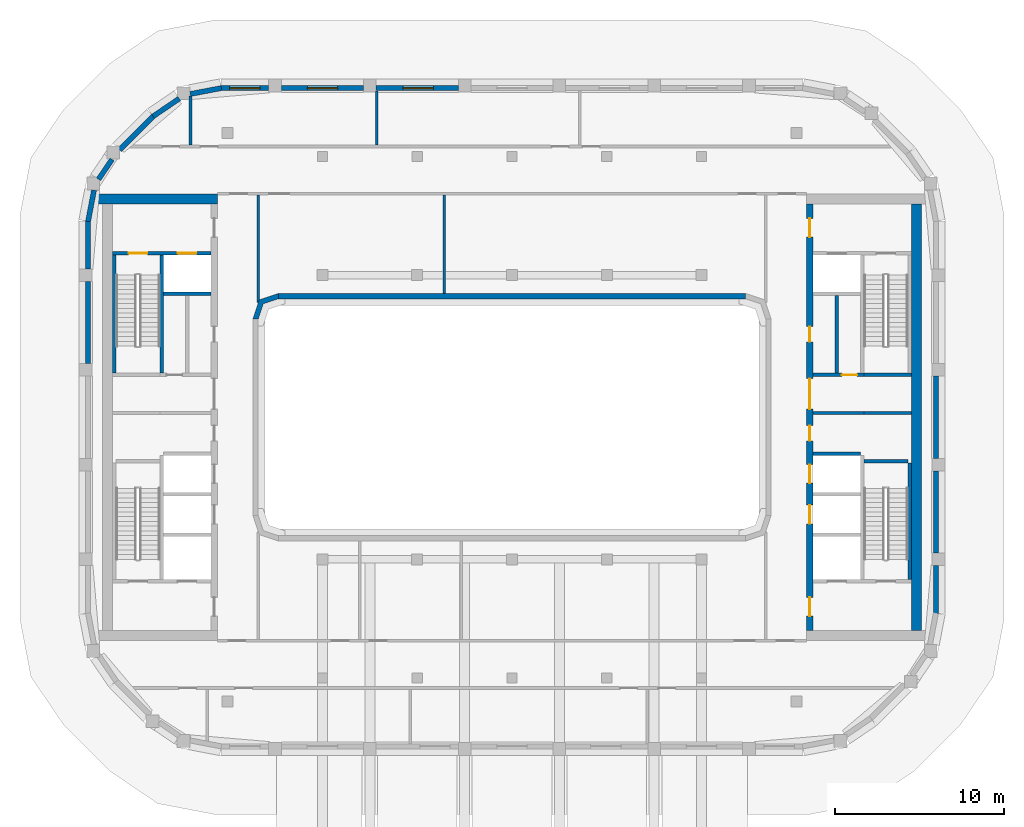
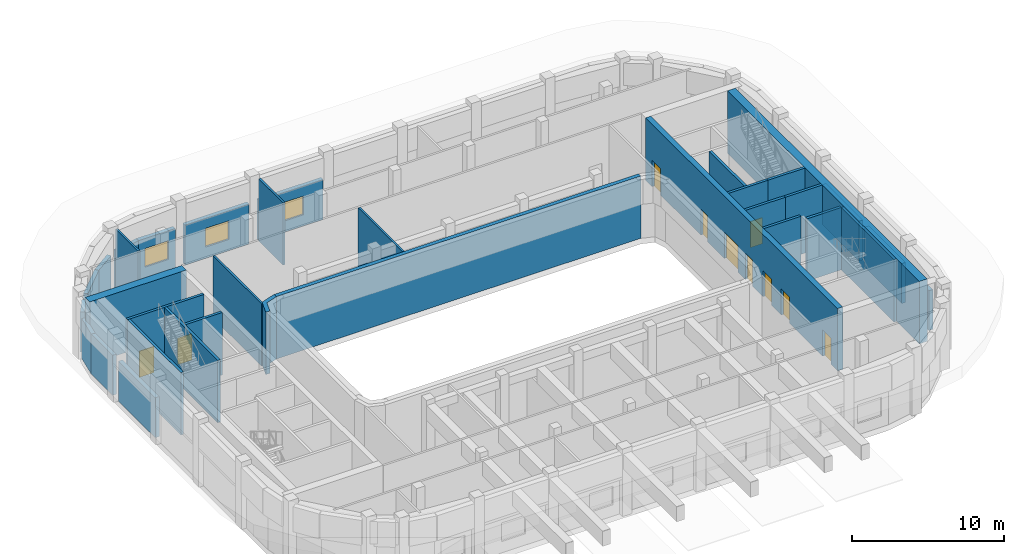
# One storey, part 8 of 17: 34 walls, 10 doors, 3 windows, 13 openings.
"""IFC4 building model written with IfcOpenShell, lengths in metres."""

from ifc_helpers import new_model, si_unit, direction, frame, frame_2d, origin, place, context, subcontext, project, spatial, polyline, rectangle, outline, extrude, material, layer, layer_set, type_object, element, fill, save


model = new_model("IFC4")

# Units and contexts
model_context = context("Model", 3, precision=1e-05, world=origin(), true_north=direction((0.0, 1.0)))
body_context = subcontext(model_context, "Body", "Model", "MODEL_VIEW")
ifc_project = project(units=[si_unit("LENGTHUNIT", "METRE"), si_unit("AREAUNIT", "SQUARE_METRE"), si_unit("VOLUMEUNIT", "CUBIC_METRE"), si_unit("PLANEANGLEUNIT", "RADIAN"), si_unit("MASSUNIT", "GRAM", prefix="KILO")], contexts=[model_context])

# Site, building, storey
site_placement = place(None, origin())
site = spatial("IfcSite", under=ifc_project, at=site_placement, CompositionType="ELEMENT")
building_placement = place(site_placement, origin())
building = spatial("IfcBuilding", under=site, at=building_placement, Name="Kiln Ring Residences", CompositionType="ELEMENT")
storey_placement = place(building_placement, frame((0.0, 0.0, 289.10009765625)))
storey = spatial("IfcBuildingStorey", under=building, at=storey_placement, Name="L75", CompositionType="ELEMENT", Elevation=289.10009765625)

# Walls
ifc_material_1 = material(Name="Gypsum board on steel studs", Category="steel")
ifc_layer_1 = layer(ifc_material_1, 0.199951171875)
ifc_layer_set_1 = layer_set([ifc_layer_1], Name="CORE-PARTITION-200")
wall_type_1 = type_object("IfcWallType", Name="CORE-PARTITION-200", PredefinedType="PARTITIONING", material=ifc_layer_set_1)
wall_1_placement = place(storey_placement, frame((20.800048828125, 0.25, 0.0), z_axis=(0.0, 0.0, 1.0), x_axis=(1.0, 0.0, 0.0)))
element("IfcWall", 1, at=wall_1_placement, inside=storey, type_object=wall_type_1, Name="Core partition east L75 1", PredefinedType="PARTITIONING", context=body_context, shape_type="SweptSolid", body=[
    extrude(rectangle(XDim=2.800048828125, YDim=0.199951171875, at=frame_2d((1.39990234375, 0.0))), origin(), (0.0, 0.0, 1.0), 5.0),
])
wall_2_placement = place(storey_placement, frame((19.199951171875, 2.60009765625, 0.0), z_axis=(0.0, 0.0, 1.0), x_axis=(0.0, 1.0, 0.0)))
element("IfcWall", 2, at=wall_2_placement, inside=storey, type_object=wall_type_1, Name="Core partition east L75 2", PredefinedType="PARTITIONING", context=body_context, shape_type="SweptSolid", body=[
    extrude(rectangle(XDim=4.599853515625, YDim=0.199951171875, at=frame_2d((2.2998046875, 0.0))), origin(), (0.0, 0.0, 1.0), 5.0),
])
ifc_material_2 = material(Name="Gypsum shaft wall system")
ifc_layer_2 = layer(ifc_material_2, 0.199951171875)
ifc_layer_set_2 = layer_set([ifc_layer_2], Name="CORE-SHAFT-WALL-200")
wall_type_2 = type_object("IfcWallType", Name="CORE-SHAFT-WALL-200", PredefinedType="PARTITIONING", material=ifc_layer_set_2)
for number, where, z_axis, x_axis, name in (
    (3, (-17.800048828125, 7.300048828125, 0.0), (0.0, 0.0, 1.0), (-1.0, 0.0, 0.0), "Core partition west L75 8"),
    (4, (17.800048828125, -2.14990234375, 0.0), (0.0, 0.0, 1.0), (1.0, 0.0, 0.0), "Core partition east L75 5"),
):
    element("IfcWall", number, at=place(storey_placement, frame(where, z_axis=z_axis, x_axis=x_axis)), inside=storey, type_object=wall_type_2, Name=name, PredefinedType="PARTITIONING", context=body_context, shape_type="SweptSolid", body=[
        extrude(rectangle(XDim=2.800048828125, YDim=0.199951171875, at=frame_2d((1.39990234375, 0.0))), origin(), (0.0, 0.0, 1.0), 5.0),
    ])
wall_3_placement = place(storey_placement, frame((17.800048828125, 0.25, 0.0), z_axis=(0.0, 0.0, 1.0), x_axis=(1.0, 0.0, 0.0)))
element("IfcWall", 5, at=wall_3_placement, inside=storey, type_object=wall_type_2, Name="Core partition east L75 6", PredefinedType="PARTITIONING", context=body_context, shape_type="SweptSolid", body=[
    extrude(rectangle(XDim=3.0, YDim=0.199951171875, at=frame_2d((1.5, 0.0))), origin(), (0.0, 0.0, 1.0), 5.0),
])

# Wall, opening, door
wall_4_placement = place(storey_placement, frame((17.800048828125, 2.5, 0.0), z_axis=(0.0, 0.0, 1.0), x_axis=(1.0, 0.0, 0.0)))
wall_4 = element("IfcWall", 6, at=wall_4_placement, inside=storey, type_object=wall_type_2, Name="Core partition east L75 7", PredefinedType="PARTITIONING", context=body_context, shape_type="SweptSolid", body=[
    extrude(rectangle(XDim=3.0, YDim=0.199951171875, at=frame_2d((1.5, 0.0))), origin(), (0.0, 0.0, 1.0), 5.0),
])
opening_1_placement = place(wall_4_placement, frame((1.699951171875, 0.0, 0.0)))
opening_1 = element("IfcOpeningElement", 7, at=opening_1_placement, cuts=wall_4, Name="Opening L75-CE06", PredefinedType="OPENING", context=body_context, shape_type="SweptSolid", body=[
    extrude(rectangle(XDim=0.89990234375, YDim=2.10009765625, at=frame_2d((0.449951171875, 1.050048828125))), frame((0.0, 0.10986328125, 0.0), z_axis=(0.0, -1.0, 0.0), x_axis=(1.0, 0.0, 0.0)), (0.0, 0.0, 1.0), 0.219970703125),
])
ifc_material_3 = material(Name="Steel door leaf", Category="steel")
door_type_1 = type_object("IfcDoorType", Name="CORE-DOOR-ROOM", OperationType="SINGLE_SWING_LEFT", PredefinedType="DOOR", material=ifc_material_3)
door_1_placement = place(opening_1_placement, origin())
door_1 = element("IfcDoor", 8, at=door_1_placement, inside=storey, type_object=door_type_1, Name="Cleaner's store L75-CE06", OperationType="SINGLE_SWING_RIGHT", OverallHeight=2.10009765625, OverallWidth=0.89990234375, PredefinedType="DOOR", context=body_context, shape_type="SweptSolid", body=[
    extrude(rectangle(XDim=0.89990234375, YDim=2.10009765625, at=frame_2d((0.449951171875, 1.050048828125))), frame((0.0, 0.02490234375, 0.0), z_axis=(0.0, -1.0, 0.0), x_axis=(1.0, 0.0, 0.0)), (0.0, 0.0, 1.0), 0.050048828125),
])
fill(opening_1, door_1)

# Wall
ifc_material_4 = material(Name="Concrete C40/50", Category="concrete")
ifc_layer_3 = layer(ifc_material_4, 0.199951171875)
ifc_layer_set_3 = layer_set([ifc_layer_3], Name="CORE-WALL-RC200")
wall_type_3 = type_object("IfcWallType", Name="CORE-WALL-RC200", PredefinedType="SHEAR", material=ifc_layer_set_3)
wall_5_placement = place(storey_placement, frame((-20.699951171875, 2.60009765625, 0.0), z_axis=(0.0, 0.0, 1.0), x_axis=(0.0, 1.0, 0.0)))
element("IfcWall", 9, at=wall_5_placement, inside=storey, type_object=wall_type_3, Name="Core wall west L75 1", PredefinedType="SHEAR", context=body_context, shape_type="SweptSolid", body=[
    extrude(rectangle(XDim=7.0, YDim=0.199951171875, at=frame_2d((3.5, 0.0))), origin(), (0.0, 0.0, 1.0), 5.0),
])

# Wall, openings, doors
wall_6_placement = place(storey_placement, frame((-17.800048828125, 9.699951171875, 0.0), z_axis=(0.0, 0.0, 1.0), x_axis=(-1.0, 0.0, 0.0)))
wall_6 = element("IfcWall", 10, at=wall_6_placement, inside=storey, type_object=wall_type_3, Name="Core wall west L75 9", PredefinedType="SHEAR", context=body_context, shape_type="SweptSolid", body=[
    extrude(rectangle(XDim=5.800048828125, YDim=0.199951171875, at=frame_2d((2.89990234375, 0.0))), origin(), (0.0, 0.0, 1.0), 5.0),
])
opening_2_placement = place(wall_6_placement, frame((0.85009765625, 0.0, 0.0)))
opening_2 = element("IfcOpeningElement", 11, at=opening_2_placement, cuts=wall_6, Name="Opening L75-CW07", PredefinedType="OPENING", context=body_context, shape_type="SweptSolid", body=[
    extrude(rectangle(XDim=1.10009765625, YDim=2.10009765625, at=frame_2d((0.550048828125, 1.050048828125))), frame((0.0, 0.10986328125, 0.0), z_axis=(0.0, -1.0, 0.0), x_axis=(1.0, 0.0, 0.0)), (0.0, 0.0, 1.0), 0.219970703125),
])
opening_3_placement = place(wall_6_placement, frame((3.75, 0.0, 0.0)))
opening_3 = element("IfcOpeningElement", 12, at=opening_3_placement, cuts=wall_6, Name="Opening L75-CW10", PredefinedType="OPENING", context=body_context, shape_type="SweptSolid", body=[
    extrude(rectangle(XDim=1.10009765625, YDim=2.10009765625, at=frame_2d((0.550048828125, 1.050048828125))), frame((0.0, 0.10986328125, 0.0), z_axis=(0.0, -1.0, 0.0), x_axis=(1.0, 0.0, 0.0)), (0.0, 0.0, 1.0), 0.219970703125),
])
ifc_material_5 = material(Name="Steel door leaf", Category="steel")
door_type_2 = type_object("IfcDoorType", Name="CORE-DOOR-LD", OperationType="DOUBLE_DOOR_SLIDING", PredefinedType="DOOR", material=ifc_material_5)
door_2_placement = place(opening_2_placement, origin())
door_2 = element("IfcDoor", 13, at=door_2_placement, inside=storey, type_object=door_type_2, Name="LD W-FF L75-CW07", OperationType="DOUBLE_DOOR_SLIDING", OverallHeight=2.10009765625, OverallWidth=1.10009765625, PredefinedType="DOOR", context=body_context, shape_type="SweptSolid", body=[
    extrude(rectangle(XDim=1.10009765625, YDim=2.10009765625, at=frame_2d((0.550048828125, 1.050048828125))), frame((0.0, 0.02490234375, 0.0), z_axis=(0.0, -1.0, 0.0), x_axis=(1.0, 0.0, 0.0)), (0.0, 0.0, 1.0), 0.050048828125),
])
fill(opening_2, door_2)
ifc_material_6 = material(Name="Steel door leaf", Category="steel")
door_type_3 = type_object("IfcDoorType", Name="CORE-DOOR-STAIR", OperationType="SINGLE_SWING_LEFT", PredefinedType="DOOR", material=ifc_material_6)
door_3_placement = place(opening_3_placement, origin())
door_3 = element("IfcDoor", 14, at=door_3_placement, inside=storey, type_object=door_type_3, Name="Stair W-STN L75-CW10", OperationType="SINGLE_SWING_RIGHT", OverallHeight=2.10009765625, OverallWidth=1.10009765625, PredefinedType="DOOR", context=body_context, shape_type="SweptSolid", body=[
    extrude(rectangle(XDim=1.10009765625, YDim=2.10009765625, at=frame_2d((0.550048828125, 1.050048828125))), frame((0.0, 0.02490234375, 0.0), z_axis=(0.0, -1.0, 0.0), x_axis=(1.0, 0.0, 0.0)), (0.0, 0.0, 1.0), 0.050048828125),
])
fill(opening_3, door_3)

# Walls
wall_7_placement = place(storey_placement, frame((-23.5, 2.60009765625, 0.0), z_axis=(0.0, 0.0, 1.0), x_axis=(0.0, 1.0, 0.0)))
element("IfcWall", 15, at=wall_7_placement, inside=storey, type_object=wall_type_3, Name="Core wall west L75 10", PredefinedType="SHEAR", context=body_context, shape_type="SweptSolid", body=[
    extrude(rectangle(XDim=7.0, YDim=0.199951171875, at=frame_2d((3.5, 0.0))), origin(), (0.0, 0.0, 1.0), 5.0),
])
wall_8_placement = place(storey_placement, frame((20.800048828125, 2.5, 0.0), z_axis=(0.0, 0.0, 1.0), x_axis=(1.0, 0.0, 0.0)))
element("IfcWall", 16, at=wall_8_placement, inside=storey, type_object=wall_type_3, Name="Core wall east L75 3", PredefinedType="SHEAR", context=body_context, shape_type="SweptSolid", body=[
    extrude(rectangle(XDim=2.800048828125, YDim=0.199951171875, at=frame_2d((1.39990234375, 0.0))), origin(), (0.0, 0.0, 1.0), 5.0),
])
wall_9_placement = place(storey_placement, frame((23.5, -9.60009765625, 0.0), z_axis=(0.0, 0.0, 1.0), x_axis=(0.0, 1.0, 0.0)))
element("IfcWall", 17, at=wall_9_placement, inside=storey, type_object=wall_type_3, Name="Core wall east L75 11", PredefinedType="SHEAR", context=body_context, shape_type="SweptSolid", body=[
    extrude(rectangle(XDim=6.900146484375, YDim=0.199951171875, at=frame_2d((3.4501953125, 0.0))), origin(), (0.0, 0.0, 1.0), 5.0),
])
wall_10_placement = place(storey_placement, frame((20.800048828125, -2.60009765625, 0.0), z_axis=(0.0, 0.0, 1.0), x_axis=(1.0, 0.0, 0.0)))
element("IfcWall", 18, at=wall_10_placement, inside=storey, type_object=wall_type_3, Name="Core wall east L75 12", PredefinedType="SHEAR", context=body_context, shape_type="SweptSolid", body=[
    extrude(rectangle(XDim=2.599853515625, YDim=0.199951171875, at=frame_2d((1.2998046875, 0.0))), origin(), (0.0, 0.0, 1.0), 5.0),
])

# Wall, openings, doors
ifc_material_7 = material(Name="Concrete C60/75", Category="concrete")
ifc_layer_4 = layer(ifc_material_7, 0.39990234375)
ifc_layer_set_4 = layer_set([ifc_layer_4], Name="CORE-WALL-RC400")
wall_type_4 = type_object("IfcWallType", Name="CORE-WALL-RC400", PredefinedType="SHEAR", material=ifc_layer_set_4)
wall_11_placement = place(storey_placement, frame((17.60009765625, -12.60009765625, 0.0), z_axis=(0.0, 0.0, 1.0), x_axis=(0.0, 1.0, 0.0)))
wall_11 = element("IfcWall", 19, at=wall_11_placement, inside=storey, type_object=wall_type_4, Name="Core wall east L75 6", PredefinedType="SHEAR", context=body_context, shape_type="SweptSolid", body=[
    extrude(rectangle(XDim=25.2001953125, YDim=0.39990234375, at=frame_2d((12.60009765625, 0.0))), origin(), (0.0, 0.0, 1.0), 5.0),
])
opening_4_placement = place(wall_11_placement, frame((6.300048828125, 0.0, 0.0)))
opening_4 = element("IfcOpeningElement", 20, at=opening_4_placement, cuts=wall_11, Name="Opening L75-CE02", PredefinedType="OPENING", context=body_context, shape_type="SweptSolid", body=[
    extrude(rectangle(XDim=1.10009765625, YDim=2.10009765625, at=frame_2d((0.550048828125, 1.050048828125))), frame((0.0, 0.2099609375, 0.0), z_axis=(0.0, -1.0, 0.0), x_axis=(1.0, 0.0, 0.0)), (0.0, 0.0, 1.0), 0.419921875),
])
opening_5_placement = place(wall_11_placement, frame((8.699951171875, 0.0, 0.0)))
opening_5 = element("IfcOpeningElement", 21, at=opening_5_placement, cuts=wall_11, Name="Opening L75-CE03", PredefinedType="OPENING", context=body_context, shape_type="SweptSolid", body=[
    extrude(rectangle(XDim=1.10009765625, YDim=2.10009765625, at=frame_2d((0.550048828125, 1.050048828125))), frame((0.0, 0.2099609375, 0.0), z_axis=(0.0, -1.0, 0.0), x_axis=(1.0, 0.0, 0.0)), (0.0, 0.0, 1.0), 0.419921875),
])
opening_6_placement = place(wall_11_placement, frame((11.199951171875, 0.0, 0.0)))
opening_6 = element("IfcOpeningElement", 22, at=opening_6_placement, cuts=wall_11, Name="Opening L75-CE04", PredefinedType="OPENING", context=body_context, shape_type="SweptSolid", body=[
    extrude(rectangle(XDim=0.89990234375, YDim=2.10009765625, at=frame_2d((0.449951171875, 1.050048828125))), frame((0.0, 0.2099609375, 0.0), z_axis=(0.0, -1.0, 0.0), x_axis=(1.0, 0.0, 0.0)), (0.0, 0.0, 1.0), 0.419921875),
])
opening_7_placement = place(wall_11_placement, frame((17.050048828125, 0.0, 0.0)))
opening_7 = element("IfcOpeningElement", 23, at=opening_7_placement, cuts=wall_11, Name="Opening L75-CE05", PredefinedType="OPENING", context=body_context, shape_type="SweptSolid", body=[
    extrude(rectangle(XDim=0.89990234375, YDim=2.10009765625, at=frame_2d((0.449951171875, 1.050048828125))), frame((0.0, 0.2099609375, 0.0), z_axis=(0.0, -1.0, 0.0), x_axis=(1.0, 0.0, 0.0)), (0.0, 0.0, 1.0), 0.419921875),
])
opening_8_placement = place(wall_11_placement, frame((23.25, 0.0, 0.0)))
opening_8 = element("IfcOpeningElement", 24, at=opening_8_placement, cuts=wall_11, Name="Opening L75-CE08", PredefinedType="OPENING", context=body_context, shape_type="SweptSolid", body=[
    extrude(rectangle(XDim=1.10009765625, YDim=2.10009765625, at=frame_2d((0.550048828125, 1.050048828125))), frame((0.0, 0.2099609375, 0.0), z_axis=(0.0, -1.0, 0.0), x_axis=(1.0, 0.0, 0.0)), (0.0, 0.0, 1.0), 0.419921875),
])
opening_9_placement = place(wall_11_placement, frame((0.85009765625, 0.0, 0.0)))
opening_9 = element("IfcOpeningElement", 25, at=opening_9_placement, cuts=wall_11, Name="Opening L75-CE09", PredefinedType="OPENING", context=body_context, shape_type="SweptSolid", body=[
    extrude(rectangle(XDim=1.10009765625, YDim=2.10009765625, at=frame_2d((0.550048828125, 1.050048828125))), frame((0.0, 0.2099609375, 0.0), z_axis=(0.0, -1.0, 0.0), x_axis=(1.0, 0.0, 0.0)), (0.0, 0.0, 1.0), 0.419921875),
])
opening_10_placement = place(wall_11_placement, frame((13.074951171875, 0.0, 0.0)))
opening_10 = element("IfcOpeningElement", 26, at=opening_10_placement, cuts=wall_11, Name="Opening L75-CE12", PredefinedType="OPENING", context=body_context, shape_type="SweptSolid", body=[
    extrude(rectangle(XDim=1.800048828125, YDim=2.10009765625, at=frame_2d((0.89990234375, 1.050048828125))), frame((0.0, 0.2099609375, 0.0), z_axis=(0.0, -1.0, 0.0), x_axis=(1.0, 0.0, 0.0)), (0.0, 0.0, 1.0), 0.419921875),
])
door_4_placement = place(opening_4_placement, origin())
door_4 = element("IfcDoor", 27, at=door_4_placement, inside=storey, type_object=door_type_2, Name="LD E-H1 L75-CE02", OperationType="DOUBLE_DOOR_SLIDING", OverallHeight=2.10009765625, OverallWidth=1.10009765625, PredefinedType="DOOR", context=body_context, shape_type="SweptSolid", body=[
    extrude(rectangle(XDim=1.10009765625, YDim=2.10009765625, at=frame_2d((0.550048828125, 1.050048828125))), frame((0.0, 0.02490234375, 0.0), z_axis=(0.0, -1.0, 0.0), x_axis=(1.0, 0.0, 0.0)), (0.0, 0.0, 1.0), 0.050048828125),
])
fill(opening_4, door_4)
door_5_placement = place(opening_5_placement, origin())
door_5 = element("IfcDoor", 28, at=door_5_placement, inside=storey, type_object=door_type_2, Name="LD E-H2 L75-CE03", OperationType="DOUBLE_DOOR_SLIDING", OverallHeight=2.10009765625, OverallWidth=1.10009765625, PredefinedType="DOOR", context=body_context, shape_type="SweptSolid", body=[
    extrude(rectangle(XDim=1.10009765625, YDim=2.10009765625, at=frame_2d((0.550048828125, 1.050048828125))), frame((0.0, 0.02490234375, 0.0), z_axis=(0.0, -1.0, 0.0), x_axis=(1.0, 0.0, 0.0)), (0.0, 0.0, 1.0), 0.050048828125),
])
fill(opening_5, door_5)
ifc_material_8 = material(Name="Steel door leaf", Category="steel")
door_type_4 = type_object("IfcDoorType", Name="CORE-DOOR-LOBBY", OperationType="SINGLE_SWING_LEFT", PredefinedType="DOOR", material=ifc_material_8)
door_6_placement = place(opening_8_placement, origin())
door_6 = element("IfcDoor", 29, at=door_6_placement, inside=storey, type_object=door_type_4, Name="FFL L75-CE08", OperationType="SINGLE_SWING_RIGHT", OverallHeight=2.10009765625, OverallWidth=1.10009765625, PredefinedType="DOOR", context=body_context, shape_type="SweptSolid", body=[
    extrude(rectangle(XDim=1.10009765625, YDim=2.10009765625, at=frame_2d((0.550048828125, 1.050048828125))), frame((0.0, 0.02490234375, 0.0), z_axis=(0.0, -1.0, 0.0), x_axis=(1.0, 0.0, 0.0)), (0.0, 0.0, 1.0), 0.050048828125),
])
fill(opening_8, door_6)
door_7_placement = place(opening_9_placement, origin())
door_7 = element("IfcDoor", 30, at=door_7_placement, inside=storey, type_object=door_type_4, Name="SVL L75-CE09", OperationType="SINGLE_SWING_LEFT", OverallHeight=2.10009765625, OverallWidth=1.10009765625, PredefinedType="DOOR", context=body_context, shape_type="SweptSolid", body=[
    extrude(rectangle(XDim=1.10009765625, YDim=2.10009765625, at=frame_2d((0.550048828125, 1.050048828125))), frame((0.0, 0.02490234375, 0.0), z_axis=(0.0, -1.0, 0.0), x_axis=(1.0, 0.0, 0.0)), (0.0, 0.0, 1.0), 0.050048828125),
])
fill(opening_9, door_7)
ifc_material_9 = material(Name="Steel door leaf", Category="steel")
door_type_5 = type_object("IfcDoorType", Name="CORE-DOOR-PASS", OperationType="DOUBLE_DOOR_SINGLE_SWING", PredefinedType="DOOR", material=ifc_material_9)
door_8_placement = place(opening_10_placement, origin())
door_8 = element("IfcDoor", 31, at=door_8_placement, inside=storey, type_object=door_type_5, Name="Core passage L75-CE12", OperationType="DOUBLE_DOOR_SINGLE_SWING", OverallHeight=2.10009765625, OverallWidth=1.800048828125, PredefinedType="DOOR", context=body_context, shape_type="SweptSolid", body=[
    extrude(rectangle(XDim=1.800048828125, YDim=2.10009765625, at=frame_2d((0.89990234375, 1.050048828125))), frame((0.0, 0.02490234375, 0.0), z_axis=(0.0, -1.0, 0.0), x_axis=(1.0, 0.0, 0.0)), (0.0, 0.0, 1.0), 0.050048828125),
])
fill(opening_10, door_8)
door_9_placement = place(opening_6_placement, origin())
door_9 = element("IfcDoor", 32, at=door_9_placement, inside=storey, type_object=door_type_1, Name="Parcel room L75-CE04", OperationType="SINGLE_SWING_LEFT", OverallHeight=2.10009765625, OverallWidth=0.89990234375, PredefinedType="DOOR", context=body_context, shape_type="SweptSolid", body=[
    extrude(rectangle(XDim=0.89990234375, YDim=2.10009765625, at=frame_2d((0.449951171875, 1.050048828125))), frame((0.0, 0.02490234375, 0.0), z_axis=(0.0, -1.0, 0.0), x_axis=(1.0, 0.0, 0.0)), (0.0, 0.0, 1.0), 0.050048828125),
])
fill(opening_6, door_9)
door_10_placement = place(opening_7_placement, origin())
door_10 = element("IfcDoor", 33, at=door_10_placement, inside=storey, type_object=door_type_1, Name="Storage room L75-CE05", OperationType="SINGLE_SWING_RIGHT", OverallHeight=2.10009765625, OverallWidth=0.89990234375, PredefinedType="DOOR", context=body_context, shape_type="SweptSolid", body=[
    extrude(rectangle(XDim=0.89990234375, YDim=2.10009765625, at=frame_2d((0.449951171875, 1.050048828125))), frame((0.0, 0.02490234375, 0.0), z_axis=(0.0, -1.0, 0.0), x_axis=(1.0, 0.0, 0.0)), (0.0, 0.0, 1.0), 0.050048828125),
])
fill(opening_7, door_10)

# Walls
ifc_material_10 = material(Name="Concrete C60/75", Category="concrete")
ifc_layer_5 = layer(ifc_material_10, 0.60009765625)
ifc_layer_set_5 = layer_set([ifc_layer_5], Name="CORE-WALL-RC600")
wall_type_5 = type_object("IfcWallType", Name="CORE-WALL-RC600", PredefinedType="SHEAR", material=ifc_layer_set_5)
wall_12_placement = place(storey_placement, frame((-17.39990234375, 12.89990234375, 0.0), z_axis=(0.0, 0.0, 1.0), x_axis=(-1.0, 0.0, 0.0)))
element("IfcWall", 34, at=wall_12_placement, inside=storey, type_object=wall_type_5, Name="Core wall west L75 4", PredefinedType="SHEAR", context=body_context, shape_type="SweptSolid", body=[
    extrude(rectangle(XDim=7.320068359375, YDim=0.60009765625, at=frame_2d((3.66015625, 0.0))), origin(), (0.0, 0.0, 1.0), 5.0),
])
wall_13_placement = place(storey_placement, frame((23.89990234375, -12.60009765625, 0.0), z_axis=(0.0, 0.0, 1.0), x_axis=(0.0, 1.0, 0.0)))
element("IfcWall", 35, at=wall_13_placement, inside=storey, type_object=wall_type_5, Name="Core wall east L75 7", PredefinedType="SHEAR", context=body_context, shape_type="SweptSolid", body=[
    extrude(rectangle(XDim=25.2001953125, YDim=0.60009765625, at=frame_2d((12.60009765625, 0.0))), origin(), (0.0, 0.0, 1.0), 5.0),
])
ifc_material_11 = material(Name="Brick masonry, dark clay brick", Category="masonry")
ifc_layer_6 = layer(ifc_material_11, 0.300048828125)
ifc_layer_set_6 = layer_set([ifc_layer_6], Name="EW-300 BRICK WALL")
wall_type_6 = type_object("IfcWallType", Name="EW-300 BRICK WALL", PredefinedType="SOLIDWALL", material=ifc_layer_set_6)
wall_14_placement = place(storey_placement, frame((25.050048828125, -11.60009765625, 0.0), z_axis=(0.0, 0.0, 1.0), x_axis=(0.0, 1.0, 0.0)))
element("IfcWall", 36, at=wall_14_placement, inside=storey, type_object=wall_type_6, Name="Facade wall L75 16", PredefinedType="SOLIDWALL", context=body_context, shape_type="SweptSolid", body=[
    extrude(rectangle(XDim=2.8251953125, YDim=0.300048828125, at=frame_2d((1.41259765625, 0.0))), origin(), (0.0, 0.0, 1.0), 3.199951171875),
])
wall_15_placement = place(storey_placement, frame((25.050048828125, -8.02490234375, 0.0), z_axis=(0.0, 0.0, 1.0), x_axis=(0.0, 1.0, 0.0)))
element("IfcWall", 37, at=wall_15_placement, inside=storey, type_object=wall_type_6, Name="Facade wall L75 17", PredefinedType="SOLIDWALL", context=body_context, shape_type="SweptSolid", body=[
    extrude(rectangle(XDim=4.849853515625, YDim=0.300048828125, at=frame_2d((2.4248046875, 0.0))), origin(), (0.0, 0.0, 1.0), 3.199951171875),
])
wall_16_placement = place(storey_placement, frame((25.050048828125, -2.425048828125, 0.0), z_axis=(0.0, 0.0, 1.0), x_axis=(0.0, 1.0, 0.0)))
element("IfcWall", 38, at=wall_16_placement, inside=storey, type_object=wall_type_6, Name="Facade wall L75 18", PredefinedType="SOLIDWALL", context=body_context, shape_type="SweptSolid", body=[
    extrude(rectangle(XDim=4.85009765625, YDim=0.300048828125, at=frame_2d((2.425048828125, 0.0))), origin(), (0.0, 0.0, 1.0), 3.199951171875),
])

# Wall, opening, window
wall_17_placement = place(storey_placement, frame((-3.175048828125, 19.449951171875, 0.0), z_axis=(0.0, 0.0, 1.0), x_axis=(-1.0, 0.0, 0.0)))
wall_17 = element("IfcWall", 39, at=wall_17_placement, inside=storey, type_object=wall_type_6, Name="Facade wall L75 30", PredefinedType="SOLIDWALL", context=body_context, shape_type="SweptSolid", body=[
    extrude(rectangle(XDim=4.849853515625, YDim=0.300048828125, at=frame_2d((2.4248046875, 0.0))), origin(), (0.0, 0.0, 1.0), 3.199951171875),
])
opening_11_placement = place(wall_17_placement, frame((1.47509765625, 0.0, 0.89990234375)))
opening_11 = element("IfcOpeningElement", 40, at=opening_11_placement, cuts=wall_17, Name="Opening LV1", PredefinedType="OPENING", context=body_context, shape_type="SweptSolid", body=[
    extrude(rectangle(XDim=1.800048828125, YDim=1.5, at=frame_2d((0.89990234375, 0.75))), frame((0.0, 0.159912109375, 0.0), z_axis=(0.0, -1.0, 0.0), x_axis=(1.0, 0.0, 0.0)), (0.0, 0.0, 1.0), 0.320068359375),
])
ifc_material_12 = material(Name="Aluminium louvre", Category="aluminium")
window_type = type_object("IfcWindowType", Name="LOUVRED VENT 1800 x 1500", PartitioningType="SINGLE_PANEL", PredefinedType="WINDOW", material=ifc_material_12)
window_1_placement = place(opening_11_placement, origin())
window_1 = element("IfcWindow", 41, at=window_1_placement, inside=storey, type_object=window_type, Name="Louvred vent L75 12", OverallHeight=1.5, OverallWidth=1.800048828125, PartitioningType="SINGLE_PANEL", PredefinedType="WINDOW", context=body_context, shape_type="SweptSolid", body=[
    extrude(rectangle(XDim=1.800048828125, YDim=1.5, at=frame_2d((0.89990234375, 0.75))), frame((0.0, 0.030029296875, 0.0), z_axis=(0.0, -1.0, 0.0), x_axis=(1.0, 0.0, 0.0)), (0.0, 0.0, 1.0), 0.06005859375),
])
fill(opening_11, window_1)

wall_18_placement = place(storey_placement, frame((-8.77490234375, 19.449951171875, 0.0), z_axis=(0.0, 0.0, 1.0), x_axis=(-1.0, 0.0, 0.0)))
wall_18 = element("IfcWall", 42, at=wall_18_placement, inside=storey, type_object=wall_type_6, Name="Facade wall L75 31", PredefinedType="SOLIDWALL", context=body_context, shape_type="SweptSolid", body=[
    extrude(rectangle(XDim=4.85009765625, YDim=0.300048828125, at=frame_2d((2.425048828125, 0.0))), origin(), (0.0, 0.0, 1.0), 3.199951171875),
])
opening_12_placement = place(wall_18_placement, frame((1.52490234375, 0.0, 0.89990234375)))
opening_12 = element("IfcOpeningElement", 43, at=opening_12_placement, cuts=wall_18, Name="Opening LV1", PredefinedType="OPENING", context=body_context, shape_type="SweptSolid", body=[
    extrude(rectangle(XDim=1.800048828125, YDim=1.5, at=frame_2d((0.89990234375, 0.75))), frame((0.0, 0.159912109375, 0.0), z_axis=(0.0, -1.0, 0.0), x_axis=(1.0, 0.0, 0.0)), (0.0, 0.0, 1.0), 0.320068359375),
])
window_2_placement = place(opening_12_placement, origin())
window_2 = element("IfcWindow", 44, at=window_2_placement, inside=storey, type_object=window_type, Name="Louvred vent L75 13", OverallHeight=1.5, OverallWidth=1.800048828125, PartitioningType="SINGLE_PANEL", PredefinedType="WINDOW", context=body_context, shape_type="SweptSolid", body=[
    extrude(rectangle(XDim=1.800048828125, YDim=1.5, at=frame_2d((0.89990234375, 0.75))), frame((0.0, 0.030029296875, 0.0), z_axis=(0.0, -1.0, 0.0), x_axis=(1.0, 0.0, 0.0)), (0.0, 0.0, 1.0), 0.06005859375),
])
fill(opening_12, window_2)

wall_19_placement = place(storey_placement, frame((-14.375, 19.449951171875, 0.0), z_axis=(0.0, 0.0, 1.0), x_axis=(-1.0, 0.0, 0.0)))
wall_19 = element("IfcWall", 45, at=wall_19_placement, inside=storey, type_object=wall_type_6, Name="Facade wall L75 32", PredefinedType="SOLIDWALL", context=body_context, shape_type="SweptSolid", body=[
    extrude(rectangle(XDim=2.824951171875, YDim=0.300048828125, at=frame_2d((1.41259765625, 0.0))), origin(), (0.0, 0.0, 1.0), 3.199951171875),
])
opening_13_placement = place(wall_19_placement, frame((0.512451171875, 0.0, 0.89990234375)))
opening_13 = element("IfcOpeningElement", 46, at=opening_13_placement, cuts=wall_19, Name="Opening LV1", PredefinedType="OPENING", context=body_context, shape_type="SweptSolid", body=[
    extrude(rectangle(XDim=1.800048828125, YDim=1.5, at=frame_2d((0.89990234375, 0.75))), frame((0.0, 0.159912109375, 0.0), z_axis=(0.0, -1.0, 0.0), x_axis=(1.0, 0.0, 0.0)), (0.0, 0.0, 1.0), 0.320068359375),
])
window_3_placement = place(opening_13_placement, origin())
window_3 = element("IfcWindow", 47, at=window_3_placement, inside=storey, type_object=window_type, Name="Louvred vent L75 14", OverallHeight=1.5, OverallWidth=1.800048828125, PartitioningType="SINGLE_PANEL", PredefinedType="WINDOW", context=body_context, shape_type="SweptSolid", body=[
    extrude(rectangle(XDim=1.800048828125, YDim=1.5, at=frame_2d((0.89990234375, 0.75))), frame((0.0, 0.030029296875, 0.0), z_axis=(0.0, -1.0, 0.0), x_axis=(1.0, 0.0, 0.0)), (0.0, 0.0, 1.0), 0.06005859375),
])
fill(opening_13, window_3)

# Walls
wall_20_placement = place(storey_placement, frame((-17.171875, 19.45263671875, 0.0), z_axis=(0.0, 0.0, 1.0), x_axis=(-0.982284001233, -0.187398348234, 0.0)))
element("IfcWall", 48, at=wall_20_placement, inside=storey, type_object=wall_type_6, Name="Facade wall L75 33", PredefinedType="SOLIDWALL", context=body_context, shape_type="SweptSolid", body=[
    extrude(rectangle(XDim=1.88134765625, YDim=0.300048828125, at=frame_2d((0.940673828125, 0.0))), origin(), (0.0, 0.0, 1.0), 3.199951171875),
])
wall_21_placement = place(storey_placement, frame((-19.656982421875, 18.836181640625, 0.0), z_axis=(0.0, 0.0, 1.0), x_axis=(-0.82704477487, -0.562136051469, 0.0)))
element("IfcWall", 49, at=wall_21_placement, inside=storey, type_object=wall_type_6, Name="Facade wall L75 34", PredefinedType="SOLIDWALL", context=body_context, shape_type="SweptSolid", body=[
    extrude(rectangle(XDim=1.881103515625, YDim=0.300048828125, at=frame_2d((0.9404296875, 0.0))), origin(), (0.0, 0.0, 1.0), 3.199951171875),
])
wall_22_placement = place(storey_placement, frame((-21.19091796875, 17.796875, 0.0), z_axis=(0.0, 0.0, 1.0), x_axis=(-0.707106781187, -0.707106781187, 0.0)))
element("IfcWall", 50, at=wall_22_placement, inside=storey, type_object=wall_type_6, Name="Facade wall L75 35", PredefinedType="SOLIDWALL", context=body_context, shape_type="SweptSolid", body=[
    extrude(rectangle(XDim=2.824951171875, YDim=0.300048828125, at=frame_2d((1.41259765625, 0.0))), origin(), (0.0, 0.0, 1.0), 3.199951171875),
])
wall_23_placement = place(storey_placement, frame((-23.634033203125, 15.2373046875, 0.0), z_axis=(0.0, 0.0, 1.0), x_axis=(-0.562099454787, -0.827069648173, 0.0)))
element("IfcWall", 51, at=wall_23_placement, inside=storey, type_object=wall_type_6, Name="Facade wall L75 36", PredefinedType="SOLIDWALL", context=body_context, shape_type="SweptSolid", body=[
    extrude(rectangle(XDim=1.42724609375, YDim=0.300048828125, at=frame_2d((0.713623046875, 0.0))), origin(), (0.0, 0.0, 1.0), 3.199951171875),
])
wall_24_placement = place(storey_placement, frame((-24.7001953125, 13.419677734375, 0.0), z_axis=(0.0, 0.0, 1.0), x_axis=(-0.187398348234, -0.982284001233, 0.0)))
element("IfcWall", 52, at=wall_24_placement, inside=storey, type_object=wall_type_6, Name="Facade wall L75 37", PredefinedType="SOLIDWALL", context=body_context, shape_type="SweptSolid", body=[
    extrude(rectangle(XDim=1.88134765625, YDim=0.300048828125, at=frame_2d((0.940673828125, 0.0))), origin(), (0.0, 0.0, 1.0), 3.199951171875),
])
wall_25_placement = place(storey_placement, frame((-25.050048828125, 11.60009765625, 0.0), z_axis=(0.0, 0.0, 1.0), x_axis=(0.0, -1.0, 0.0)))
element("IfcWall", 53, at=wall_25_placement, inside=storey, type_object=wall_type_6, Name="Facade wall L75 38", PredefinedType="SOLIDWALL", context=body_context, shape_type="SweptSolid", body=[
    extrude(rectangle(XDim=2.8251953125, YDim=0.300048828125, at=frame_2d((1.41259765625, 0.0))), origin(), (0.0, 0.0, 1.0), 3.199951171875),
])
wall_26_placement = place(storey_placement, frame((-25.050048828125, 8.02490234375, 0.0), z_axis=(0.0, 0.0, 1.0), x_axis=(0.0, -1.0, 0.0)))
element("IfcWall", 54, at=wall_26_placement, inside=storey, type_object=wall_type_6, Name="Facade wall L75 39", PredefinedType="SOLIDWALL", context=body_context, shape_type="SweptSolid", body=[
    extrude(rectangle(XDim=4.849853515625, YDim=0.300048828125, at=frame_2d((2.4248046875, 0.0))), origin(), (0.0, 0.0, 1.0), 3.199951171875),
])
wall_27_placement = place(storey_placement, frame((-13.800048828125, 7.14990234375, 0.0), z_axis=(0.0, 0.0, 1.0), x_axis=(1.0, 0.0, 0.0)))
element("IfcWall", 55, at=wall_27_placement, inside=storey, type_object=wall_type_6, Name="Facade wall L75 46", PredefinedType="SOLIDWALL", context=body_context, shape_type="SweptSolid", body=[
    extrude(rectangle(XDim=27.60009765625, YDim=0.300048828125, at=frame_2d((13.800048828125, 0.0))), origin(), (0.0, 0.0, 1.0), 5.0),
])
wall_28_placement = place(storey_placement, origin())
element("IfcWall", 56, at=wall_28_placement, inside=storey, type_object=wall_type_6, Name="Corner wall L75 1", PredefinedType="SOLIDWALL", context=body_context, shape_type="SweptSolid", body=[
    extrude(outline(polyline([(-13.8486328125, 7.300048828125), (-14.937255859375, 6.937255859375), (-15.300048828125, 5.8486328125), (-15.300048828125, 5.800048828125), (-15.0, 5.800048828125), (-14.699951171875, 6.699951171875), (-13.800048828125, 7.0), (-13.800048828125, 7.300048828125), (-13.8486328125, 7.300048828125)])), origin(), (0.0, 0.0, 1.0), 5.0),
])
ifc_material_13 = material(Name="Brick masonry partition", Category="masonry")
ifc_layer_7 = layer(ifc_material_13, 0.14990234375)
ifc_layer_set_7 = layer_set([ifc_layer_7], Name="PARTITION-150-ei60")
wall_type_7 = type_object("IfcWallType", Name="PARTITION-150-ei60", PredefinedType="PARTITIONING", material=ifc_layer_set_7)
wall_29_placement = place(storey_placement, frame((-19.0, 16.074951171875, 0.0), z_axis=(0.0, 0.0, 1.0), x_axis=(0.0, 1.0, 0.0)))
element("IfcWall", 57, at=wall_29_placement, inside=storey, type_object=wall_type_7, Name="Partition 004", PredefinedType="PARTITIONING", context=body_context, shape_type="SweptSolid", body=[
    extrude(rectangle(XDim=2.90185546875, YDim=0.14990234375, at=frame_2d((1.450927734375, 0.0))), origin(), (0.0, 0.0, 1.0), 5.0),
])
wall_30_placement = place(storey_placement, frame((-15.0, 6.768798828125, 0.0), z_axis=(0.0, 0.0, 1.0), x_axis=(0.0, 1.0, 0.0)))
element("IfcWall", 58, at=wall_30_placement, inside=storey, type_object=wall_type_7, Name="Partition 007", PredefinedType="PARTITIONING", context=body_context, shape_type="SweptSolid", body=[
    extrude(rectangle(XDim=6.356201171875, YDim=0.14990234375, at=frame_2d((3.17822265625, 0.0))), origin(), (0.0, 0.0, 1.0), 5.0),
])
wall_31_placement = place(storey_placement, frame((-8.0, 16.074951171875, 0.0), z_axis=(0.0, 0.0, 1.0), x_axis=(0.0, 1.0, 0.0)))
element("IfcWall", 59, at=wall_31_placement, inside=storey, type_object=wall_type_7, Name="Partition 009", PredefinedType="PARTITIONING", context=body_context, shape_type="SweptSolid", body=[
    extrude(rectangle(XDim=3.205078125, YDim=0.14990234375, at=frame_2d((1.6025390625, 0.0))), origin(), (0.0, 0.0, 1.0), 5.0),
])
wall_32_placement = place(storey_placement, frame((-4.0, 7.320068359375, 0.0), z_axis=(0.0, 0.0, 1.0), x_axis=(0.0, 1.0, 0.0)))
element("IfcWall", 60, at=wall_32_placement, inside=storey, type_object=wall_type_7, Name="Partition 011", PredefinedType="PARTITIONING", context=body_context, shape_type="SweptSolid", body=[
    extrude(rectangle(XDim=5.804931640625, YDim=0.14990234375, at=frame_2d((2.90234375, 0.0))), origin(), (0.0, 0.0, 1.0), 5.0),
])

save(model, "model.ifc")
